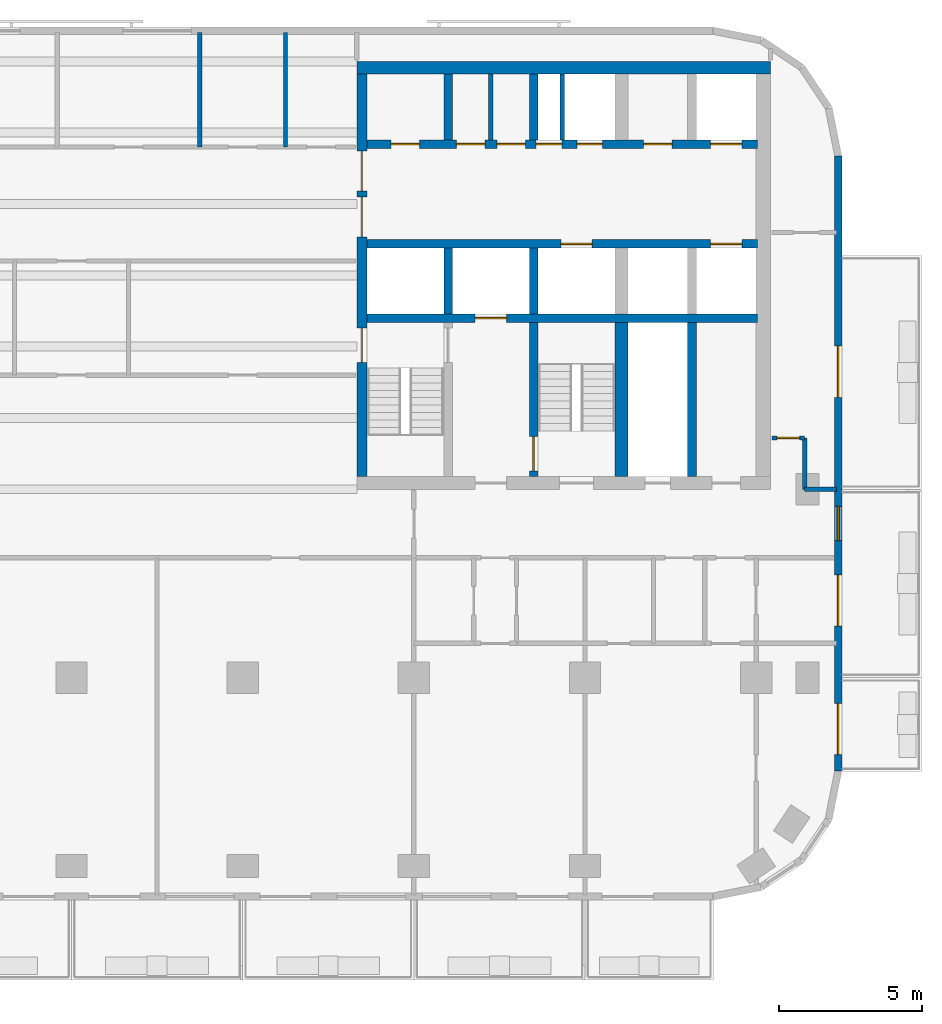
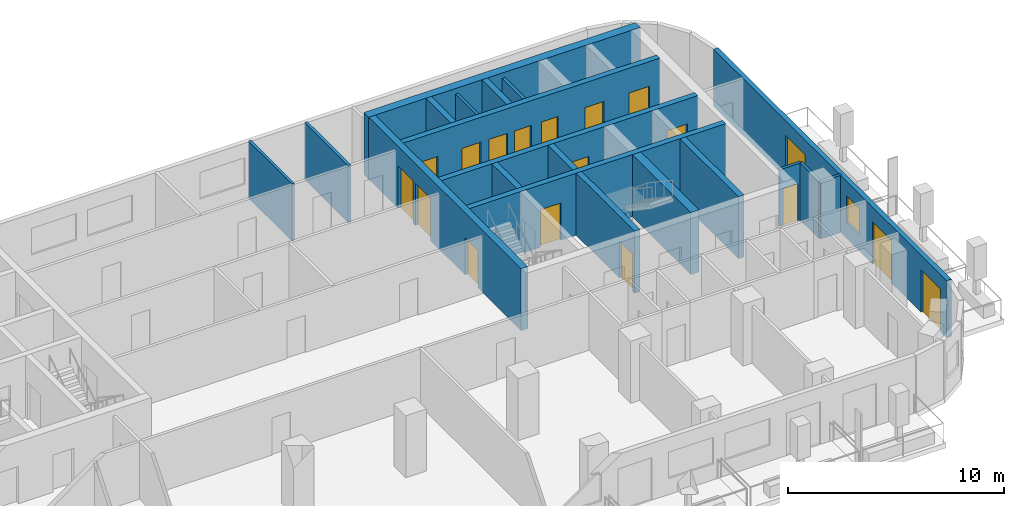
# One storey, part 6 of 11: 20 walls, 18 doors, 1 window, 19 openings.
"""IFC4 building model written with IfcOpenShell, lengths in metres."""

from ifc_helpers import new_model, si_unit, direction, frame, frame_2d, origin, place, context, subcontext, project, spatial, rectangle, extrude, material, layer, layer_set, type_object, element, fill, save


model = new_model("IFC4")

# Units and contexts
model_context = context("Model", 3, precision=1e-05, world=origin(), true_north=direction((0.0, 1.0)))
body_context = subcontext(model_context, "Body", "Model", "MODEL_VIEW")
ifc_project = project(units=[si_unit("LENGTHUNIT", "METRE"), si_unit("AREAUNIT", "SQUARE_METRE"), si_unit("VOLUMEUNIT", "CUBIC_METRE"), si_unit("PLANEANGLEUNIT", "RADIAN"), si_unit("MASSUNIT", "GRAM", prefix="KILO")], contexts=[model_context])

# Site, building, storey
site_placement = place(None, origin())
site = spatial("IfcSite", under=ifc_project, at=site_placement, CompositionType="ELEMENT")
building_placement = place(site_placement, origin())
building = spatial("IfcBuilding", under=site, at=building_placement, Name="Torana Hotel and Residences", CompositionType="ELEMENT")
storey_placement = place(building_placement, frame((0.0, 0.0, 211.60009765625)))
storey = spatial("IfcBuildingStorey", under=building, at=storey_placement, Name="L55", CompositionType="ELEMENT", Elevation=211.60009765625)

# Wall, openings, doors
ifc_material_1 = material(Name="Concrete C70/85", Category="concrete")
ifc_layer_1 = layer(ifc_material_1, 0.300048828125)
ifc_layer_set_1 = layer_set([ifc_layer_1], Name="CORE WALL 300 C70/85")
wall_type_1 = type_object("IfcWallType", Name="CORE WALL 300 C70/85", PredefinedType="SHEAR", material=ifc_layer_set_1)
wall_1_placement = place(storey_placement, frame((10.35009765625, -2.89990234375, 0.0), z_axis=(0.0, 0.0, 1.0), x_axis=(1.0, 0.0, 0.0)))
wall_1 = element("IfcWall", 1, at=wall_1_placement, inside=storey, type_object=wall_type_1, Name="Core wall E row-N", PredefinedType="SHEAR", context=body_context, shape_type="SweptSolid", body=[
    extrude(rectangle(XDim=13.699951171875, YDim=0.300048828125, at=frame_2d((6.85009765625, 0.0))), origin(), (0.0, 0.0, 1.0), 3.5),
])
opening_1_placement = place(wall_1_placement, frame((12.050048828125, 0.0, 0.0)))
opening_1 = element("IfcOpeningElement", 2, at=opening_1_placement, cuts=wall_1, Name="Opening LD", PredefinedType="OPENING", context=body_context, shape_type="SweptSolid", body=[
    extrude(rectangle(XDim=1.10009765625, YDim=2.10009765625, at=frame_2d((0.550048828125, 1.050048828125))), frame((0.0, 0.159912109375, 0.0), z_axis=(0.0, -1.0, 0.0), x_axis=(1.0, 0.0, 0.0)), (0.0, 0.0, 1.0), 0.320068359375),
])
opening_2_placement = place(wall_1_placement, frame((5.9375, 0.0, 0.0)))
opening_2 = element("IfcOpeningElement", 3, at=opening_2_placement, cuts=wall_1, Name="Opening L55-23", PredefinedType="OPENING", context=body_context, shape_type="SweptSolid", body=[
    extrude(rectangle(XDim=0.89990234375, YDim=2.10009765625, at=frame_2d((0.449951171875, 1.050048828125))), frame((0.0, 0.159912109375, 0.0), z_axis=(0.0, -1.0, 0.0), x_axis=(1.0, 0.0, 0.0)), (0.0, 0.0, 1.0), 0.320068359375),
])
opening_3_placement = place(wall_1_placement, frame((7.362548828125, 0.0, 0.0)))
opening_3 = element("IfcOpeningElement", 4, at=opening_3_placement, cuts=wall_1, Name="Opening L55-24", PredefinedType="OPENING", context=body_context, shape_type="SweptSolid", body=[
    extrude(rectangle(XDim=0.89990234375, YDim=2.10009765625, at=frame_2d((0.449951171875, 1.050048828125))), frame((0.0, 0.159912109375, 0.0), z_axis=(0.0, -1.0, 0.0), x_axis=(1.0, 0.0, 0.0)), (0.0, 0.0, 1.0), 0.320068359375),
])
opening_4_placement = place(wall_1_placement, frame((0.85009765625, 0.0, 0.0)))
opening_4 = element("IfcOpeningElement", 5, at=opening_4_placement, cuts=wall_1, Name="Opening L55-25", PredefinedType="OPENING", context=body_context, shape_type="SweptSolid", body=[
    extrude(rectangle(XDim=1.0, YDim=2.10009765625, at=frame_2d((0.5, 1.050048828125))), frame((0.0, 0.159912109375, 0.0), z_axis=(0.0, -1.0, 0.0), x_axis=(1.0, 0.0, 0.0)), (0.0, 0.0, 1.0), 0.320068359375),
])
opening_5_placement = place(wall_1_placement, frame((3.137451171875, 0.0, 0.0)))
opening_5 = element("IfcOpeningElement", 6, at=opening_5_placement, cuts=wall_1, Name="Opening L55-26", PredefinedType="OPENING", context=body_context, shape_type="SweptSolid", body=[
    extrude(rectangle(XDim=1.0, YDim=2.10009765625, at=frame_2d((0.5, 1.050048828125))), frame((0.0, 0.159912109375, 0.0), z_axis=(0.0, -1.0, 0.0), x_axis=(1.0, 0.0, 0.0)), (0.0, 0.0, 1.0), 0.320068359375),
])
opening_6_placement = place(wall_1_placement, frame((4.5625, 0.0, 0.0)))
opening_6 = element("IfcOpeningElement", 7, at=opening_6_placement, cuts=wall_1, Name="Opening L55-27", PredefinedType="OPENING", context=body_context, shape_type="SweptSolid", body=[
    extrude(rectangle(XDim=1.0, YDim=2.10009765625, at=frame_2d((0.5, 1.050048828125))), frame((0.0, 0.159912109375, 0.0), z_axis=(0.0, -1.0, 0.0), x_axis=(1.0, 0.0, 0.0)), (0.0, 0.0, 1.0), 0.320068359375),
])
opening_7_placement = place(wall_1_placement, frame((9.699951171875, 0.0, 0.0)))
opening_7 = element("IfcOpeningElement", 8, at=opening_7_placement, cuts=wall_1, Name="Opening L55-28", PredefinedType="OPENING", context=body_context, shape_type="SweptSolid", body=[
    extrude(rectangle(XDim=1.0, YDim=2.10009765625, at=frame_2d((0.5, 1.050048828125))), frame((0.0, 0.159912109375, 0.0), z_axis=(0.0, -1.0, 0.0), x_axis=(1.0, 0.0, 0.0)), (0.0, 0.0, 1.0), 0.320068359375),
])
ifc_material_2 = material(Name="Steel S235", Category="steel")
door_type_1 = type_object("IfcDoorType", Name="CORE ROOM FIRE DOOR D14 1000x2100", OperationType="SINGLE_SWING_LEFT", PredefinedType="DOOR", material=ifc_material_2)
door_1_placement = place(opening_4_placement, origin())
door_1 = element("IfcDoor", 9, at=door_1_placement, inside=storey, type_object=door_type_1, Name="N0 door L55", OperationType="SINGLE_SWING_RIGHT", OverallHeight=2.10009765625, OverallWidth=1.0, PredefinedType="DOOR", context=body_context, shape_type="SweptSolid", body=[
    extrude(rectangle(XDim=1.0, YDim=2.10009765625, at=frame_2d((0.5, 1.050048828125))), frame((0.0, 0.02490234375, 0.0), z_axis=(0.0, -1.0, 0.0), x_axis=(1.0, 0.0, 0.0)), (0.0, 0.0, 1.0), 0.050048828125),
])
fill(opening_4, door_1)
door_2_placement = place(opening_5_placement, origin())
door_2 = element("IfcDoor", 10, at=door_2_placement, inside=storey, type_object=door_type_1, Name="N1A door L55", OperationType="SINGLE_SWING_RIGHT", OverallHeight=2.10009765625, OverallWidth=1.0, PredefinedType="DOOR", context=body_context, shape_type="SweptSolid", body=[
    extrude(rectangle(XDim=1.0, YDim=2.10009765625, at=frame_2d((0.5, 1.050048828125))), frame((0.0, 0.02490234375, 0.0), z_axis=(0.0, -1.0, 0.0), x_axis=(1.0, 0.0, 0.0)), (0.0, 0.0, 1.0), 0.050048828125),
])
fill(opening_5, door_2)
door_3_placement = place(opening_6_placement, origin())
door_3 = element("IfcDoor", 11, at=door_3_placement, inside=storey, type_object=door_type_1, Name="N1B door L55", OperationType="SINGLE_SWING_RIGHT", OverallHeight=2.10009765625, OverallWidth=1.0, PredefinedType="DOOR", context=body_context, shape_type="SweptSolid", body=[
    extrude(rectangle(XDim=1.0, YDim=2.10009765625, at=frame_2d((0.5, 1.050048828125))), frame((0.0, 0.02490234375, 0.0), z_axis=(0.0, -1.0, 0.0), x_axis=(1.0, 0.0, 0.0)), (0.0, 0.0, 1.0), 0.050048828125),
])
fill(opening_6, door_3)
door_4_placement = place(opening_7_placement, origin())
door_4 = element("IfcDoor", 12, at=door_4_placement, inside=storey, type_object=door_type_1, Name="Freed-S2 door L55", OperationType="SINGLE_SWING_RIGHT", OverallHeight=2.10009765625, OverallWidth=1.0, PredefinedType="DOOR", context=body_context, shape_type="SweptSolid", body=[
    extrude(rectangle(XDim=1.0, YDim=2.10009765625, at=frame_2d((0.5, 1.050048828125))), frame((0.0, 0.02490234375, 0.0), z_axis=(0.0, -1.0, 0.0), x_axis=(1.0, 0.0, 0.0)), (0.0, 0.0, 1.0), 0.050048828125),
])
fill(opening_7, door_4)
ifc_material_3 = material(Name="Stainless steel 316", Category="steel")
door_type_2 = type_object("IfcDoorType", Name="LIFT LANDING DOOR LD 1100x2100", OperationType="DOUBLE_DOOR_SLIDING", PredefinedType="USERDEFINED", material=ifc_material_3)
door_5_placement = place(opening_1_placement, origin())
door_5 = element("IfcDoor", 13, at=door_5_placement, inside=storey, type_object=door_type_2, Name="Lift landing door M3 L55", ObjectType="LIFT LANDING DOOR", OperationType="DOUBLE_DOOR_SLIDING", OverallHeight=2.10009765625, OverallWidth=1.10009765625, PredefinedType="USERDEFINED", context=body_context, shape_type="SweptSolid", body=[
    extrude(rectangle(XDim=1.10009765625, YDim=2.10009765625, at=frame_2d((0.550048828125, 1.050048828125))), frame((0.0, 0.02490234375, 0.0), z_axis=(0.0, -1.0, 0.0), x_axis=(1.0, 0.0, 0.0)), (0.0, 0.0, 1.0), 0.050048828125),
])
fill(opening_1, door_5)
ifc_material_4 = material(Name="Steel S235", Category="steel")
door_type_3 = type_object("IfcDoorType", Name="RISER ACCESS DOOR D5 900x2100", OperationType="SINGLE_SWING_LEFT", PredefinedType="DOOR", material=ifc_material_4)
door_6_placement = place(opening_2_placement, origin())
door_6 = element("IfcDoor", 14, at=door_6_placement, inside=storey, type_object=door_type_3, Name="N2A door L55", OperationType="SINGLE_SWING_RIGHT", OverallHeight=2.10009765625, OverallWidth=0.89990234375, PredefinedType="DOOR", context=body_context, shape_type="SweptSolid", body=[
    extrude(rectangle(XDim=0.89990234375, YDim=2.10009765625, at=frame_2d((0.449951171875, 1.050048828125))), frame((0.0, 0.02490234375, 0.0), z_axis=(0.0, -1.0, 0.0), x_axis=(1.0, 0.0, 0.0)), (0.0, 0.0, 1.0), 0.050048828125),
])
fill(opening_2, door_6)
door_7_placement = place(opening_3_placement, origin())
door_7 = element("IfcDoor", 15, at=door_7_placement, inside=storey, type_object=door_type_3, Name="N2B door L55", OperationType="SINGLE_SWING_RIGHT", OverallHeight=2.10009765625, OverallWidth=0.89990234375, PredefinedType="DOOR", context=body_context, shape_type="SweptSolid", body=[
    extrude(rectangle(XDim=0.89990234375, YDim=2.10009765625, at=frame_2d((0.449951171875, 1.050048828125))), frame((0.0, 0.02490234375, 0.0), z_axis=(0.0, -1.0, 0.0), x_axis=(1.0, 0.0, 0.0)), (0.0, 0.0, 1.0), 0.050048828125),
])
fill(opening_3, door_7)

wall_2_placement = place(storey_placement, frame((10.35009765625, -6.39990234375, 0.0), z_axis=(0.0, 0.0, 1.0), x_axis=(1.0, 0.0, 0.0)))
wall_2 = element("IfcWall", 16, at=wall_2_placement, inside=storey, type_object=wall_type_1, Name="Core wall E row-S", PredefinedType="SHEAR", context=body_context, shape_type="SweptSolid", body=[
    extrude(rectangle(XDim=13.699951171875, YDim=0.300048828125, at=frame_2d((6.85009765625, 0.0))), origin(), (0.0, 0.0, 1.0), 3.5),
])
opening_8_placement = place(wall_2_placement, frame((12.050048828125, 0.0, 0.0)))
opening_8 = element("IfcOpeningElement", 17, at=opening_8_placement, cuts=wall_2, Name="Opening LD", PredefinedType="OPENING", context=body_context, shape_type="SweptSolid", body=[
    extrude(rectangle(XDim=1.10009765625, YDim=2.10009765625, at=frame_2d((0.550048828125, 1.050048828125))), frame((0.0, 0.159912109375, 0.0), z_axis=(0.0, -1.0, 0.0), x_axis=(1.0, 0.0, 0.0)), (0.0, 0.0, 1.0), 0.320068359375),
])
opening_9_placement = place(wall_2_placement, frame((6.800048828125, 0.0, 0.0)))
opening_9 = element("IfcOpeningElement", 18, at=opening_9_placement, cuts=wall_2, Name="Opening LD", PredefinedType="OPENING", context=body_context, shape_type="SweptSolid", body=[
    extrude(rectangle(XDim=1.10009765625, YDim=2.10009765625, at=frame_2d((0.550048828125, 1.050048828125))), frame((0.0, 0.159912109375, 0.0), z_axis=(0.0, -1.0, 0.0), x_axis=(1.0, 0.0, 0.0)), (0.0, 0.0, 1.0), 0.320068359375),
])
door_8_placement = place(opening_8_placement, origin())
door_8 = element("IfcDoor", 19, at=door_8_placement, inside=storey, type_object=door_type_2, Name="Lift landing door M4 L55", ObjectType="LIFT LANDING DOOR", OperationType="DOUBLE_DOOR_SLIDING", OverallHeight=2.10009765625, OverallWidth=1.10009765625, PredefinedType="USERDEFINED", context=body_context, shape_type="SweptSolid", body=[
    extrude(rectangle(XDim=1.10009765625, YDim=2.10009765625, at=frame_2d((0.550048828125, 1.050048828125))), frame((0.0, 0.02490234375, 0.0), z_axis=(0.0, -1.0, 0.0), x_axis=(1.0, 0.0, 0.0)), (0.0, 0.0, 1.0), 0.050048828125),
])
fill(opening_8, door_8)
door_9_placement = place(opening_9_placement, origin())
door_9 = element("IfcDoor", 20, at=door_9_placement, inside=storey, type_object=door_type_2, Name="Lift landing door SV2 L55", ObjectType="LIFT LANDING DOOR", OperationType="DOUBLE_DOOR_SLIDING", OverallHeight=2.10009765625, OverallWidth=1.10009765625, PredefinedType="USERDEFINED", context=body_context, shape_type="SweptSolid", body=[
    extrude(rectangle(XDim=1.10009765625, YDim=2.10009765625, at=frame_2d((0.550048828125, 1.050048828125))), frame((0.0, 0.02490234375, 0.0), z_axis=(0.0, -1.0, 0.0), x_axis=(1.0, 0.0, 0.0)), (0.0, 0.0, 1.0), 0.050048828125),
])
fill(opening_9, door_9)

# Wall, opening, door
wall_3_placement = place(storey_placement, frame((10.35009765625, -9.0, 0.0), z_axis=(0.0, 0.0, 1.0), x_axis=(1.0, 0.0, 0.0)))
wall_3 = element("IfcWall", 21, at=wall_3_placement, inside=storey, type_object=wall_type_1, Name="Core wall E band", PredefinedType="SHEAR", context=body_context, shape_type="SweptSolid", body=[
    extrude(rectangle(XDim=13.699951171875, YDim=0.300048828125, at=frame_2d((6.85009765625, 0.0))), origin(), (0.0, 0.0, 1.0), 3.5),
])
opening_10_placement = place(wall_3_placement, frame((3.800048828125, 0.0, 0.0)))
opening_10 = element("IfcOpeningElement", 22, at=opening_10_placement, cuts=wall_3, Name="Opening LD", PredefinedType="OPENING", context=body_context, shape_type="SweptSolid", body=[
    extrude(rectangle(XDim=1.10009765625, YDim=2.10009765625, at=frame_2d((0.550048828125, 1.050048828125))), frame((0.0, 0.159912109375, 0.0), z_axis=(0.0, -1.0, 0.0), x_axis=(1.0, 0.0, 0.0)), (0.0, 0.0, 1.0), 0.320068359375),
])
door_10_placement = place(opening_10_placement, origin())
door_10 = element("IfcDoor", 23, at=door_10_placement, inside=storey, type_object=door_type_2, Name="Lift landing door FF2 L55", ObjectType="LIFT LANDING DOOR", OperationType="DOUBLE_DOOR_SLIDING", OverallHeight=2.10009765625, OverallWidth=1.10009765625, PredefinedType="USERDEFINED", context=body_context, shape_type="SweptSolid", body=[
    extrude(rectangle(XDim=1.10009765625, YDim=2.10009765625, at=frame_2d((0.550048828125, 1.050048828125))), frame((0.0, 0.02490234375, 0.0), z_axis=(0.0, -1.0, 0.0), x_axis=(1.0, 0.0, 0.0)), (0.0, 0.0, 1.0), 0.050048828125),
])
fill(opening_10, door_10)

# Walls
for number, where, z_axis, x_axis, name in (
    (24, (13.199951171875, -2.75, 0.0), (0.0, 0.0, 1.0), (0.0, 1.0, 0.0), "Core wall E x3.05-N"),
    (25, (13.199951171875, -8.85009765625, 0.0), (0.0, 0.0, 1.0), (0.0, 1.0, 0.0), "Core wall E x3.05-S"),
    (26, (16.199951171875, -2.75, 0.0), (0.0, 0.0, 1.0), (0.0, 1.0, 0.0), "Core wall E x6.05-N"),
    (27, (16.199951171875, -8.85009765625, 0.0), (0.0, 0.0, 1.0), (0.0, 1.0, 0.0), "Core wall E x6.05-S"),
):
    element("IfcWall", number, at=place(storey_placement, frame(where, z_axis=z_axis, x_axis=x_axis)), inside=storey, type_object=wall_type_1, Name=name, PredefinedType="SHEAR", context=body_context, shape_type="SweptSolid", body=[
        extrude(rectangle(XDim=2.300048828125, YDim=0.300048828125, at=frame_2d((1.14990234375, 0.0))), origin(), (0.0, 0.0, 1.0), 3.5),
    ])

# Wall, opening, door
wall_4_placement = place(storey_placement, frame((16.199951171875, -14.550048828125, 0.0), z_axis=(0.0, 0.0, 1.0), x_axis=(0.0, 1.0, 0.0)))
wall_4 = element("IfcWall", 28, at=wall_4_placement, inside=storey, type_object=wall_type_1, Name="Core wall E x6.05-band", PredefinedType="SHEAR", context=body_context, shape_type="SweptSolid", body=[
    extrude(rectangle(XDim=5.400146484375, YDim=0.300048828125, at=frame_2d((2.7001953125, 0.0))), origin(), (0.0, 0.0, 1.0), 3.5),
])
opening_11_placement = place(wall_4_placement, frame((0.199951171875, 0.0, 0.0)))
opening_11 = element("IfcOpeningElement", 29, at=opening_11_placement, cuts=wall_4, Name="Opening L55-30", PredefinedType="OPENING", context=body_context, shape_type="SweptSolid", body=[
    extrude(rectangle(XDim=1.199951171875, YDim=2.10009765625, at=frame_2d((0.60009765625, 1.050048828125))), frame((0.0, 0.159912109375, 0.0), z_axis=(0.0, -1.0, 0.0), x_axis=(1.0, 0.0, 0.0)), (0.0, 0.0, 1.0), 0.320068359375),
])
ifc_material_5 = material(Name="Steel S235", Category="steel")
door_type_4 = type_object("IfcDoorType", Name="STAIR FIRE DOOR D3 1200x2100", OperationType="SINGLE_SWING_LEFT", PredefinedType="DOOR", material=ifc_material_5)
door_11_placement = place(opening_11_placement, frame((0.60009765625, 0.0, 0.0), z_axis=(0.0, 0.0, 1.0), x_axis=(-1.0, 0.0, 0.0)))
door_11 = element("IfcDoor", 30, at=door_11_placement, inside=storey, type_object=door_type_4, Name="Stair-B-lobby door L55", OperationType="SINGLE_SWING_LEFT", OverallHeight=2.10009765625, OverallWidth=1.199951171875, PredefinedType="DOOR", context=body_context, shape_type="SweptSolid", body=[
    extrude(rectangle(XDim=1.199951171875, YDim=2.10009765625, at=frame_2d((0.0, 1.050048828125))), frame((0.0, -0.02490234375, 0.0), z_axis=(0.0, 1.0, 0.0), x_axis=(-1.0, 0.0, 0.0)), (0.0, 0.0, 1.0), 0.050048828125),
])
fill(opening_11, door_11)

# Wall
wall_5_placement = place(storey_placement, frame((21.75, -14.550048828125, 0.0), z_axis=(0.0, 0.0, 1.0), x_axis=(0.0, 1.0, 0.0)))
element("IfcWall", 31, at=wall_5_placement, inside=storey, type_object=wall_type_1, Name="Core wall E mm-band", PredefinedType="SHEAR", context=body_context, shape_type="SweptSolid", body=[
    extrude(rectangle(XDim=5.400146484375, YDim=0.300048828125, at=frame_2d((2.7001953125, 0.0))), origin(), (0.0, 0.0, 1.0), 3.5),
])

# Wall, openings, doors
ifc_material_6 = material(Name="Concrete C70/85", Category="concrete")
ifc_layer_2 = layer(ifc_material_6, 0.35009765625)
ifc_layer_set_2 = layer_set([ifc_layer_2], Name="CORE WALL 350 C70/85")
wall_type_2 = type_object("IfcWallType", Name="CORE WALL 350 C70/85", PredefinedType="SHEAR", material=ifc_layer_set_2)
wall_6_placement = place(storey_placement, frame((10.175048828125, -14.550048828125, 0.0), z_axis=(0.0, 0.0, 1.0), x_axis=(0.0, 1.0, 0.0)))
wall_6 = element("IfcWall", 32, at=wall_6_placement, inside=storey, type_object=wall_type_2, Name="Core wall E arch", PredefinedType="SHEAR", context=body_context, shape_type="SweptSolid", body=[
    extrude(rectangle(XDim=14.10009765625, YDim=0.35009765625, at=frame_2d((7.050048828125, 0.0))), origin(), (0.0, 0.0, 1.0), 3.5),
])
opening_12_placement = place(wall_6_placement, frame((8.39990234375, 0.0, 0.0)))
opening_12 = element("IfcOpeningElement", 33, at=opening_12_placement, cuts=wall_6, Name="Opening L55-16", PredefinedType="OPENING", context=body_context, shape_type="SweptSolid", body=[
    extrude(rectangle(XDim=1.39990234375, YDim=2.39990234375, at=frame_2d((0.699951171875, 1.199951171875))), frame((0.0, 0.18505859375, 0.0), z_axis=(0.0, -1.0, 0.0), x_axis=(1.0, 0.0, 0.0)), (0.0, 0.0, 1.0), 0.3701171875),
])
opening_13_placement = place(wall_6_placement, frame((10.0, 0.0, 0.0)))
opening_13 = element("IfcOpeningElement", 34, at=opening_13_placement, cuts=wall_6, Name="Opening L55-17", PredefinedType="OPENING", context=body_context, shape_type="SweptSolid", body=[
    extrude(rectangle(XDim=1.39990234375, YDim=2.39990234375, at=frame_2d((0.699951171875, 1.199951171875))), frame((0.0, 0.18505859375, 0.0), z_axis=(0.0, -1.0, 0.0), x_axis=(1.0, 0.0, 0.0)), (0.0, 0.0, 1.0), 0.3701171875),
])
opening_14_placement = place(wall_6_placement, frame((4.0, 0.0, 0.0)))
opening_14 = element("IfcOpeningElement", 35, at=opening_14_placement, cuts=wall_6, Name="Opening L55-18", PredefinedType="OPENING", context=body_context, shape_type="SweptSolid", body=[
    extrude(rectangle(XDim=1.199951171875, YDim=2.10009765625, at=frame_2d((0.60009765625, 1.050048828125))), frame((0.0, 0.18505859375, 0.0), z_axis=(0.0, -1.0, 0.0), x_axis=(1.0, 0.0, 0.0)), (0.0, 0.0, 1.0), 0.3701171875),
])
ifc_material_7 = material(Name="Steel S235", Category="steel")
door_type_5 = type_object("IfcDoorType", Name="LOBBY FIRE DOOR D4 1400x2400", OperationType="DOUBLE_DOOR_SINGLE_SWING", PredefinedType="DOOR", material=ifc_material_7)
door_12_placement = place(opening_12_placement, origin())
door_12 = element("IfcDoor", 36, at=door_12_placement, inside=storey, type_object=door_type_5, Name="Lobby-1 door L55", OperationType="DOUBLE_DOOR_SINGLE_SWING", OverallHeight=2.39990234375, OverallWidth=1.39990234375, PredefinedType="DOOR", context=body_context, shape_type="SweptSolid", body=[
    extrude(rectangle(XDim=1.39990234375, YDim=2.39990234375, at=frame_2d((0.699951171875, 1.199951171875))), frame((0.0, 0.02490234375, 0.0), z_axis=(0.0, -1.0, 0.0), x_axis=(1.0, 0.0, 0.0)), (0.0, 0.0, 1.0), 0.050048828125),
])
fill(opening_12, door_12)
door_13_placement = place(opening_13_placement, origin())
door_13 = element("IfcDoor", 37, at=door_13_placement, inside=storey, type_object=door_type_5, Name="Lobby-2 door L55", OperationType="DOUBLE_DOOR_SINGLE_SWING", OverallHeight=2.39990234375, OverallWidth=1.39990234375, PredefinedType="DOOR", context=body_context, shape_type="SweptSolid", body=[
    extrude(rectangle(XDim=1.39990234375, YDim=2.39990234375, at=frame_2d((0.699951171875, 1.199951171875))), frame((0.0, 0.02490234375, 0.0), z_axis=(0.0, -1.0, 0.0), x_axis=(1.0, 0.0, 0.0)), (0.0, 0.0, 1.0), 0.050048828125),
])
fill(opening_13, door_13)
door_14_placement = place(opening_14_placement, frame((0.60009765625, 0.0, 0.0), z_axis=(0.0, 0.0, 1.0), x_axis=(-1.0, 0.0, 0.0)))
door_14 = element("IfcDoor", 38, at=door_14_placement, inside=storey, type_object=door_type_4, Name="Stair-A door L55", OperationType="SINGLE_SWING_RIGHT", OverallHeight=2.10009765625, OverallWidth=1.199951171875, PredefinedType="DOOR", context=body_context, shape_type="SweptSolid", body=[
    extrude(rectangle(XDim=1.199951171875, YDim=2.10009765625, at=frame_2d((0.0, 1.050048828125))), frame((0.0, -0.02490234375, 0.0), z_axis=(0.0, 1.0, 0.0), x_axis=(-1.0, 0.0, 0.0)), (0.0, 0.0, 1.0), 0.050048828125),
])
fill(opening_14, door_14)

# Walls
ifc_material_8 = material(Name="Concrete C70/85", Category="concrete")
ifc_layer_3 = layer(ifc_material_8, 0.449951171875)
ifc_layer_set_3 = layer_set([ifc_layer_3], Name="CORE WALL 450 C70/85")
wall_type_3 = type_object("IfcWallType", Name="CORE WALL 450 C70/85", PredefinedType="SHEAR", material=ifc_layer_set_3)
wall_7_placement = place(storey_placement, frame((10.0, -0.22509765625, 0.0), z_axis=(0.0, 0.0, 1.0), x_axis=(1.0, 0.0, 0.0)))
element("IfcWall", 39, at=wall_7_placement, inside=storey, type_object=wall_type_3, Name="Core wall E rear", PredefinedType="SHEAR", context=body_context, shape_type="SweptSolid", body=[
    extrude(rectangle(XDim=14.5, YDim=0.449951171875, at=frame_2d((7.25, 0.0))), origin(), (0.0, 0.0, 1.0), 3.5),
])
wall_8_placement = place(storey_placement, frame((19.27490234375, -14.550048828125, 0.0), z_axis=(0.0, 0.0, 1.0), x_axis=(0.0, 1.0, 0.0)))
element("IfcWall", 40, at=wall_8_placement, inside=storey, type_object=wall_type_3, Name="Core wall E hm-band", PredefinedType="SHEAR", context=body_context, shape_type="SweptSolid", body=[
    extrude(rectangle(XDim=5.400146484375, YDim=0.449951171875, at=frame_2d((2.7001953125, 0.0))), origin(), (0.0, 0.0, 1.0), 3.5),
])

# Wall, openings, doors, window
ifc_material_9 = material(Name="Black aluminium composite panel", Category="aluminium")
ifc_layer_4 = layer(ifc_material_9, 0.00390625, Name="Cladding", Category="cladding")
ifc_material_10 = material(Name="Ventilated air cavity")
ifc_layer_5 = layer(ifc_material_10, 0.0400390625, Name="Ventilated cavity", Category="cavity")
ifc_material_11 = material(Name="Mineral wool insulation")
ifc_layer_6 = layer(ifc_material_11, 0.090087890625, Name="Insulation", Category="insulation")
ifc_material_12 = material(Name="Steel S280GD", Category="steel")
ifc_layer_7 = layer(ifc_material_12, 0.092041015625, Name="Steel stud frame", Category="structure")
ifc_material_13 = material(Name="Fire rated plasterboard")
ifc_layer_8 = layer(ifc_material_13, 0.011962890625, Name="Inner board", Category="finish")
ifc_layer_9 = layer(ifc_material_13, 0.011962890625, Name="Second board", Category="finish")
ifc_layer_set_4 = layer_set([ifc_layer_4, ifc_layer_5, ifc_layer_6, ifc_layer_7, ifc_layer_8, ifc_layer_9], Name="EW1 EXTERNAL WALL BLACK METAL CLAD 250")
wall_type_4 = type_object("IfcWallType", Name="EW1 EXTERNAL WALL BLACK METAL CLAD 250", PredefinedType="SOLIDWALL", material=ifc_layer_set_4)
wall_9_placement = place(storey_placement, frame((26.875, -24.87548828125, 0.0), z_axis=(0.0, 0.0, 1.0), x_axis=(0.0, 1.0, 0.0)))
wall_9 = element("IfcWall", 41, at=wall_9_placement, inside=storey, type_object=wall_type_4, Name="External wall L55 e0.19", PredefinedType="SOLIDWALL", context=body_context, shape_type="SweptSolid", body=[
    extrude(rectangle(XDim=21.55078125, YDim=0.25, at=frame_2d((10.775390625, 0.0))), origin(), (0.0, 0.0, 1.0), 3.219970703125),
])
opening_15_placement = place(wall_9_placement, frame((0.575439453125, 0.0, 0.0)))
opening_15 = element("IfcOpeningElement", 42, at=opening_15_placement, cuts=wall_9, Name="Opening L55-E09", PredefinedType="OPENING", context=body_context, shape_type="SweptSolid", body=[
    extrude(rectangle(XDim=1.800048828125, YDim=2.39990234375, at=frame_2d((0.89990234375, 1.199951171875))), frame((0.0, 0.135009765625, 0.0), z_axis=(0.0, -1.0, 0.0), x_axis=(1.0, 0.0, 0.0)), (0.0, 0.0, 1.0), 0.27001953125),
])
opening_16_placement = place(wall_9_placement, frame((5.075439453125, 0.0, 0.0)))
opening_16 = element("IfcOpeningElement", 43, at=opening_16_placement, cuts=wall_9, Name="Opening L55-E10", PredefinedType="OPENING", context=body_context, shape_type="SweptSolid", body=[
    extrude(rectangle(XDim=1.800048828125, YDim=2.39990234375, at=frame_2d((0.89990234375, 1.199951171875))), frame((0.0, 0.135009765625, 0.0), z_axis=(0.0, -1.0, 0.0), x_axis=(1.0, 0.0, 0.0)), (0.0, 0.0, 1.0), 0.27001953125),
])
opening_17_placement = place(wall_9_placement, frame((8.075439453125, 0.0, 0.89990234375)))
opening_17 = element("IfcOpeningElement", 44, at=opening_17_placement, cuts=wall_9, Name="Opening W5", PredefinedType="OPENING", context=body_context, shape_type="SweptSolid", body=[
    extrude(rectangle(XDim=1.199951171875, YDim=1.5, at=frame_2d((0.60009765625, 0.75))), frame((0.0, 0.135009765625, 0.0), z_axis=(0.0, -1.0, 0.0), x_axis=(1.0, 0.0, 0.0)), (0.0, 0.0, 1.0), 0.27001953125),
])
opening_18_placement = place(wall_9_placement, frame((13.100341796875, 0.0, 0.0)))
opening_18 = element("IfcOpeningElement", 45, at=opening_18_placement, cuts=wall_9, Name="Opening L55-E11", PredefinedType="OPENING", context=body_context, shape_type="SweptSolid", body=[
    extrude(rectangle(XDim=1.800048828125, YDim=2.39990234375, at=frame_2d((0.89990234375, 1.199951171875))), frame((0.0, 0.135009765625, 0.0), z_axis=(0.0, -1.0, 0.0), x_axis=(1.0, 0.0, 0.0)), (0.0, 0.0, 1.0), 0.27001953125),
])
ifc_material_14 = material(Name="Dark glass in black aluminium frame", Category="aluminium")
door_type_6 = type_object("IfcDoorType", Name="DB1 BALCONY DOOR 1800x2400", OperationType="DOUBLE_DOOR_SINGLE_SWING", PredefinedType="DOOR", material=ifc_material_14)
door_15_placement = place(opening_15_placement, origin())
door_15 = element("IfcDoor", 46, at=door_15_placement, inside=storey, type_object=door_type_6, Name="Balcony door L55", OperationType="DOUBLE_DOOR_SINGLE_SWING", OverallHeight=2.39990234375, OverallWidth=1.800048828125, PredefinedType="DOOR", context=body_context, shape_type="SweptSolid", body=[
    extrude(rectangle(XDim=1.800048828125, YDim=2.39990234375, at=frame_2d((0.89990234375, 1.199951171875))), frame((0.0, 0.02490234375, 0.0), z_axis=(0.0, -1.0, 0.0), x_axis=(1.0, 0.0, 0.0)), (0.0, 0.0, 1.0), 0.050048828125),
])
fill(opening_15, door_15)
door_16_placement = place(opening_16_placement, origin())
door_16 = element("IfcDoor", 47, at=door_16_placement, inside=storey, type_object=door_type_6, Name="Balcony door L55", OperationType="DOUBLE_DOOR_SINGLE_SWING", OverallHeight=2.39990234375, OverallWidth=1.800048828125, PredefinedType="DOOR", context=body_context, shape_type="SweptSolid", body=[
    extrude(rectangle(XDim=1.800048828125, YDim=2.39990234375, at=frame_2d((0.89990234375, 1.199951171875))), frame((0.0, 0.02490234375, 0.0), z_axis=(0.0, -1.0, 0.0), x_axis=(1.0, 0.0, 0.0)), (0.0, 0.0, 1.0), 0.050048828125),
])
fill(opening_16, door_16)
door_17_placement = place(opening_18_placement, origin())
door_17 = element("IfcDoor", 48, at=door_17_placement, inside=storey, type_object=door_type_6, Name="Balcony door L55", OperationType="DOUBLE_DOOR_SINGLE_SWING", OverallHeight=2.39990234375, OverallWidth=1.800048828125, PredefinedType="DOOR", context=body_context, shape_type="SweptSolid", body=[
    extrude(rectangle(XDim=1.800048828125, YDim=2.39990234375, at=frame_2d((0.89990234375, 1.199951171875))), frame((0.0, 0.02490234375, 0.0), z_axis=(0.0, -1.0, 0.0), x_axis=(1.0, 0.0, 0.0)), (0.0, 0.0, 1.0), 0.050048828125),
])
fill(opening_18, door_17)
ifc_material_15 = material(Name="Dark glass in black aluminium frame", Category="aluminium")
window_type = type_object("IfcWindowType", Name="W5 CORNER FACET WINDOW 1200x1500", PartitioningType="SINGLE_PANEL", PredefinedType="WINDOW", material=ifc_material_15)
window_placement = place(opening_17_placement, origin())
window = element("IfcWindow", 49, at=window_placement, inside=storey, type_object=window_type, Name="Window L55", OverallHeight=1.5, OverallWidth=1.199951171875, PartitioningType="SINGLE_PANEL", PredefinedType="WINDOW", context=body_context, shape_type="SweptSolid", body=[
    extrude(rectangle(XDim=1.199951171875, YDim=1.5, at=frame_2d((0.60009765625, 0.75))), frame((0.0, 0.030029296875, 0.0), z_axis=(0.0, -1.0, 0.0), x_axis=(1.0, 0.0, 0.0)), (0.0, 0.0, 1.0), 0.06005859375),
])
fill(opening_17, window)

# Walls
ifc_material_16 = material(Name="Gypsum plaster")
ifc_layer_10 = layer(ifc_material_16, 0.014892578125, Name="Plaster", Category="finish")
ifc_material_17 = material(Name="Concrete blockwork", Category="masonry")
ifc_layer_11 = layer(ifc_material_17, 0.1201171875, Name="Blockwork", Category="structure")
ifc_layer_12 = layer(ifc_material_16, 0.014892578125, Name="Plaster", Category="finish")
ifc_layer_set_5 = layer_set([ifc_layer_10, ifc_layer_11, ifc_layer_12], Name="FIRE PARTITION 150 BLOCKWORK")
wall_type_5 = type_object("IfcWallType", Name="FIRE PARTITION 150 BLOCKWORK", PredefinedType="PARTITIONING", material=ifc_layer_set_5)
for number, where, z_axis, x_axis, name in (
    (50, (17.199951171875, -2.75, 0.0), (0.0, 0.0, 1.0), (0.0, 1.0, 0.0), "Core partition L55"),
    (51, (14.699951171875, -2.75, 0.0), (0.0, 0.0, 1.0), (0.0, 1.0, 0.0), "Core partition L55"),
):
    element("IfcWall", number, at=place(storey_placement, frame(where, z_axis=z_axis, x_axis=x_axis)), inside=storey, type_object=wall_type_5, Name=name, PredefinedType="PARTITIONING", context=body_context, shape_type="SweptSolid", body=[
        extrude(rectangle(XDim=2.300048828125, YDim=0.14990234375, at=frame_2d((1.14990234375, 0.0))), origin(), (0.0, 0.0, 1.0), 3.199951171875),
    ])
wall_10_placement = place(storey_placement, frame((25.699951171875, -15.0, 0.0), z_axis=(0.0, 0.0, 1.0), x_axis=(0.0, 1.0, 0.0)))
element("IfcWall", 52, at=wall_10_placement, inside=storey, type_object=wall_type_5, Name="Partition L55", PredefinedType="PARTITIONING", context=body_context, shape_type="SweptSolid", body=[
    extrude(rectangle(XDim=1.800048828125, YDim=0.14990234375, at=frame_2d((0.89990234375, 0.0))), origin(), (0.0, 0.0, 1.0), 3.219970703125),
])
wall_11_placement = place(storey_placement, frame((25.699951171875, -15.0, 0.0), z_axis=(0.0, 0.0, 1.0), x_axis=(1.0, 0.0, 0.0)))
element("IfcWall", 53, at=wall_11_placement, inside=storey, type_object=wall_type_5, Name="Partition L55", PredefinedType="PARTITIONING", context=body_context, shape_type="SweptSolid", body=[
    extrude(rectangle(XDim=1.1201171875, YDim=0.14990234375, at=frame_2d((0.56005859375, 0.0))), origin(), (0.0, 0.0, 1.0), 3.219970703125),
])

# Wall, opening, door
wall_12_placement = place(storey_placement, frame((24.550048828125, -13.199951171875, 0.0), z_axis=(0.0, 0.0, 1.0), x_axis=(1.0, 0.0, 0.0)))
wall_12 = element("IfcWall", 54, at=wall_12_placement, inside=storey, type_object=wall_type_5, Name="Partition L55", PredefinedType="PARTITIONING", context=body_context, shape_type="SweptSolid", body=[
    extrude(rectangle(XDim=1.14990234375, YDim=0.14990234375, at=frame_2d((0.574951171875, 0.0))), origin(), (0.0, 0.0, 1.0), 3.219970703125),
])
opening_19_placement = place(wall_12_placement, frame((0.175048828125, 0.0, 0.0)))
opening_19 = element("IfcOpeningElement", 55, at=opening_19_placement, cuts=wall_12, Name="Opening L55-39", PredefinedType="OPENING", context=body_context, shape_type="SweptSolid", body=[
    extrude(rectangle(XDim=0.800048828125, YDim=2.10009765625, at=frame_2d((0.39990234375, 1.050048828125))), frame((0.0, 0.0849609375, 0.0), z_axis=(0.0, -1.0, 0.0), x_axis=(1.0, 0.0, 0.0)), (0.0, 0.0, 1.0), 0.169921875),
])
ifc_material_18 = material(Name="Steel S235", Category="steel")
door_type_7 = type_object("IfcDoorType", Name="STORE FIRE DOOR D16 800x2100", OperationType="SINGLE_SWING_LEFT", PredefinedType="DOOR", material=ifc_material_18)
door_18_placement = place(opening_19_placement, origin())
door_18 = element("IfcDoor", 56, at=door_18_placement, inside=storey, type_object=door_type_7, Name="Door L55", OperationType="SINGLE_SWING_RIGHT", OverallHeight=2.10009765625, OverallWidth=0.800048828125, PredefinedType="DOOR", context=body_context, shape_type="SweptSolid", body=[
    extrude(rectangle(XDim=0.800048828125, YDim=2.10009765625, at=frame_2d((0.39990234375, 1.050048828125))), frame((0.0, 0.02490234375, 0.0), z_axis=(0.0, -1.0, 0.0), x_axis=(1.0, 0.0, 0.0)), (0.0, 0.0, 1.0), 0.050048828125),
])
fill(opening_19, door_18)

# Walls
ifc_material_19 = material(Name="Ceramic tile on adhesive")
ifc_layer_13 = layer(ifc_material_19, 0.010009765625, Name="Wall tile", Category="finish")
ifc_material_20 = material(Name="Cement render")
ifc_layer_14 = layer(ifc_material_20, 0.010009765625, Name="Render", Category="finish")
ifc_layer_15 = layer(ifc_material_17, 0.110107421875, Name="Blockwork", Category="structure")
ifc_layer_16 = layer(ifc_material_20, 0.010009765625, Name="Render", Category="finish")
ifc_layer_17 = layer(ifc_material_19, 0.010009765625, Name="Wall tile", Category="finish")
ifc_layer_set_6 = layer_set([ifc_layer_13, ifc_layer_14, ifc_layer_15, ifc_layer_16, ifc_layer_17], Name="WC PARTITION 150")
wall_type_6 = type_object("IfcWallType", Name="WC PARTITION 150", PredefinedType="PLUMBINGWALL", material=ifc_layer_set_6)
for number, where, z_axis, x_axis, name in (
    (57, (7.5, -3.0, 0.0), (0.0, 0.0, 1.0), (0.0, 1.0, 0.0), "Partition L55"),
    (58, (4.5, -3.0, 0.0), (0.0, 0.0, 1.0), (0.0, 1.0, 0.0), "Partition L55"),
):
    element("IfcWall", number, at=place(storey_placement, frame(where, z_axis=z_axis, x_axis=x_axis)), inside=storey, type_object=wall_type_6, Name=name, PredefinedType="PLUMBINGWALL", context=body_context, shape_type="SweptSolid", body=[
        extrude(rectangle(XDim=4.02001953125, YDim=0.14990234375, at=frame_2d((2.010009765625, 0.0))), origin(), (0.0, 0.0, 1.0), 3.219970703125),
    ])

save(model, "model.ifc")
